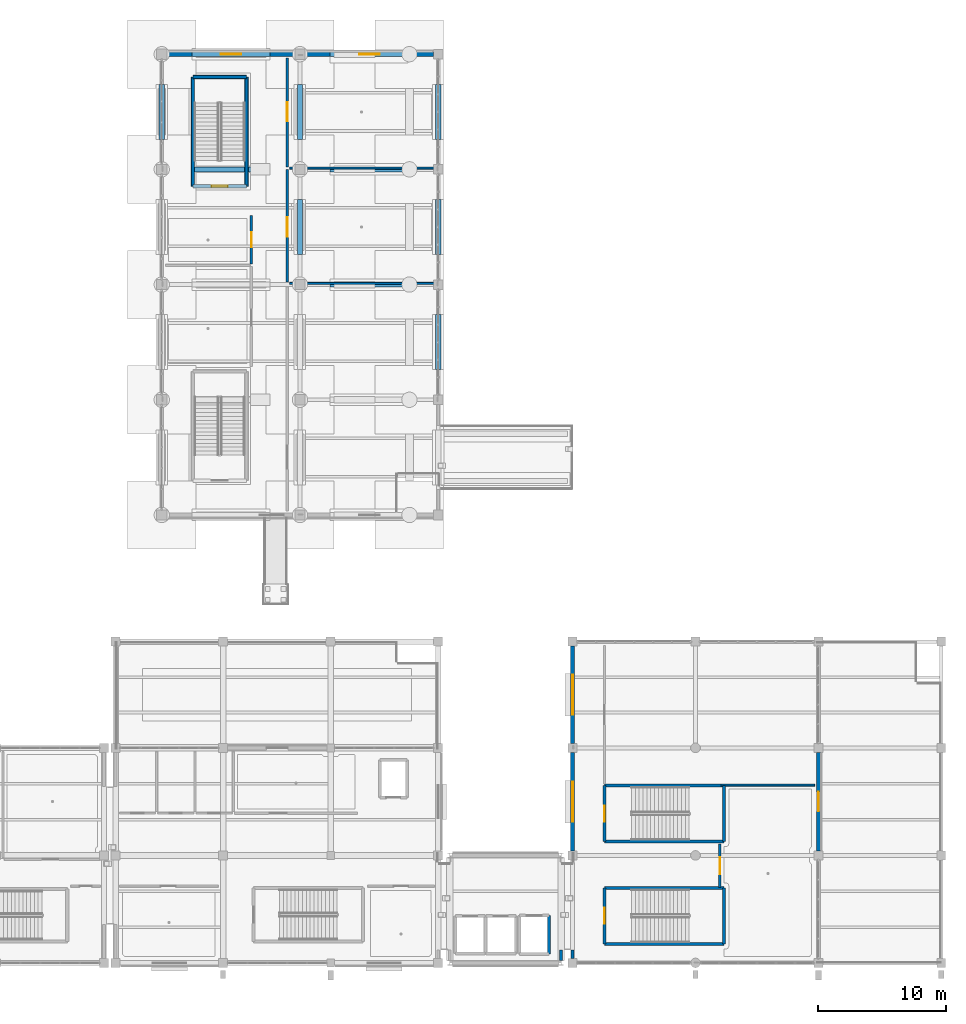
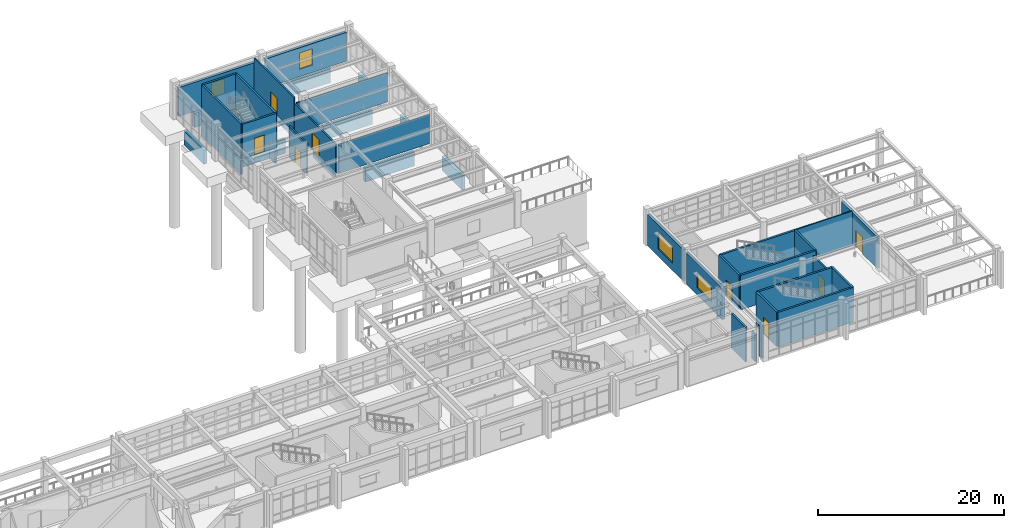
# One storey, part 78 of 98: 41 walls, 8 doors, 4 windows, 12 openings.
"""IFC4 building model written with IfcOpenShell, lengths in metres."""

import ifcopenshell
import ifcopenshell.guid

model = None  # the IFC model being written
_history = None  # IfcOwnerHistory: only IFC2X3 demands one
_inside = {}  # id of a spatial element -> (the spatial element, [elements in it])
_under = {}  # id of a project, library or spatial element -> (it, [spatial elements below it])
_declared = {}  # id of a project -> (the project, [libraries it declares])
_typed = {}  # id of a type object -> (the type object, [elements of that type])
_made_of = {}  # id of a material, layer set ... -> (it, [elements and type objects made of it])


def new_model(schema):
    """Start an empty IFC model of exactly this schema.

    Asked for "IFC4X3", IfcOpenShell would pick the latest addendum, in which some entities
    have other attributes; the version numbers below select the first issue.
    IFC2X3 requires an IfcOwnerHistory on every rooted entity: one is made here for all.
    """
    global model, _history
    if schema == "IFC4X3":
        model = ifcopenshell.file(schema_version=(4, 3, 0, 0))
    else:
        model = ifcopenshell.file(schema=schema)
    _inside.clear()
    _under.clear()
    _declared.clear()
    _typed.clear()
    _made_of.clear()
    _history = None
    if model.schema == "IFC2X3":
        org = make("IfcOrganization", Name="unknown")
        user = make(
            "IfcPersonAndOrganization",
            ThePerson=make("IfcPerson", FamilyName="unknown"),
            TheOrganization=org,
        )
        app = make(
            "IfcApplication",
            ApplicationDeveloper=org,
            Version="unknown",
            ApplicationFullName="unknown",
            ApplicationIdentifier="unknown",
        )
        _history = make(
            "IfcOwnerHistory",
            OwningUser=user,
            OwningApplication=app,
            ChangeAction="ADDED",
            CreationDate=0,
        )
    return model


def make(cls, **values):
    """One entity of the class cls with the attributes given. An attribute that is None is left unset."""
    return model.create_entity(
        cls, **{name: value for name, value in values.items() if value is not None}
    )


def rooted(cls, **values):
    """An entity with a GlobalId (a new one), such as an element, a storey or a relation."""
    return make(cls, GlobalId=ifcopenshell.guid.new(), OwnerHistory=_history, **values)


def si_unit(unit_type, name, prefix=None):
    """IfcSIUnit, for example si_unit("LENGTHUNIT", "METRE", prefix="MILLI")."""
    return make("IfcSIUnit", UnitType=unit_type, Prefix=prefix, Name=name)


def assignment(units):
    """IfcUnitAssignment: the units of a project."""
    return None if units is None else make("IfcUnitAssignment", Units=units)


def point(xyz):
    """IfcCartesianPoint."""
    return None if xyz is None else make("IfcCartesianPoint", Coordinates=xyz)


def direction(xyz):
    """IfcDirection."""
    return None if xyz is None else make("IfcDirection", DirectionRatios=xyz)


def frame(location, z_axis=None, x_axis=None):
    """IfcAxis2Placement3D, a coordinate frame: its origin and axes. An axis left out is left unset."""
    return make(
        "IfcAxis2Placement3D",
        Location=point(location),
        Axis=direction(z_axis),
        RefDirection=direction(x_axis),
    )


def frame_2d(location, x_axis=None):
    """IfcAxis2Placement2D, a coordinate frame in the plane: its origin and x axis."""
    return make(
        "IfcAxis2Placement2D", Location=point(location), RefDirection=direction(x_axis)
    )


def origin():
    """The frame at (0, 0, 0) with its axes left unset."""
    return frame((0.0, 0.0, 0.0))


def place(relative_to, where):
    """IfcLocalPlacement: puts the frame where relative to a parent placement (None: the world)."""
    return make(
        "IfcLocalPlacement", PlacementRelTo=relative_to, RelativePlacement=where
    )


def context(
    kind, dimensions, precision=None, world=None, true_north=None, identifier=None
):
    """IfcGeometricRepresentationContext, for example the 3D "Model" context."""
    return make(
        "IfcGeometricRepresentationContext",
        ContextIdentifier=identifier,
        ContextType=kind,
        CoordinateSpaceDimension=dimensions,
        Precision=precision,
        WorldCoordinateSystem=world,
        TrueNorth=true_north,
    )


def subcontext(parent, identifier, kind, view, scale=None):
    """IfcGeometricRepresentationSubContext, for example "Body" below "Model"."""
    return make(
        "IfcGeometricRepresentationSubContext",
        ContextIdentifier=identifier,
        ContextType=kind,
        ParentContext=parent,
        TargetScale=scale,
        TargetView=view,
    )


def project(units=None, contexts=None):
    """IfcProject with its units and contexts."""
    return rooted(
        "IfcProject",
        Name="project",
        RepresentationContexts=contexts,
        UnitsInContext=assignment(units),
    )


def spatial(cls, under=None, at=None, **own):
    """A site, building, storey or space (cls), placed at a placement, below another one or the project."""
    s = rooted(cls, ObjectPlacement=at, **own)
    if under is not None:
        _under.setdefault(under.id(), (under, []))[1].append(s)
    return s


def profile(cls, at=None, kind="AREA", **sizes):
    """A parametric profile (cls). Its sizes go by their IFC names, for example OverallWidth=200.0."""
    return make(cls, ProfileType=kind, Position=at, **sizes)


def rectangle(**sizes):
    """IfcRectangleProfileDef."""
    return profile("IfcRectangleProfileDef", **sizes)


def extrude(swept, where, along, depth):
    """IfcExtrudedAreaSolid: the profile swept, set in the frame where, extruded along a direction by depth."""
    return make(
        "IfcExtrudedAreaSolid",
        SweptArea=swept,
        Position=where,
        ExtrudedDirection=direction(along),
        Depth=depth,
    )


def shape(context_of_items, identifier, shape_type, items):
    """IfcShapeRepresentation: the items that make up one representation, for example the "Body"."""
    return make(
        "IfcShapeRepresentation",
        ContextOfItems=context_of_items,
        RepresentationIdentifier=identifier,
        RepresentationType=shape_type,
        Items=items,
    )


def material(Name=None, Category=None):
    """IfcMaterial."""
    return make("IfcMaterial", Name=Name, Category=Category)


def layer(
    of_material, thickness, ventilated=None, Name=None, Category=None, Priority=None
):
    """IfcMaterialLayer: one layer of a wall or slab, of a material (None: an air gap)."""
    return make(
        "IfcMaterialLayer",
        Material=of_material,
        LayerThickness=thickness,
        IsVentilated=ventilated,
        Name=Name,
        Category=Category,
        Priority=Priority,
    )


def layer_set(layers, Name=None):
    """IfcMaterialLayerSet."""
    return make("IfcMaterialLayerSet", MaterialLayers=layers, LayerSetName=Name)


def made_of(thing, what):
    """Note that an element or type object is made of a material, layer set ...; save() writes the relation."""
    if what is not None:
        _made_of.setdefault(what.id(), (what, []))[1].append(thing)
    return thing


def type_object(cls, material=None, **own):
    """A type object (cls), such as IfcWallType, which elements share."""
    return made_of(rooted(cls, **own), material)


def element(
    cls,
    number,
    at=None,
    inside=None,
    cuts=None,
    type_object=None,
    material=None,
    context=None,
    identifier="Body",
    shape_type=None,
    held_by="IfcProductDefinitionShape",
    body=None,
    shapes=None,
    **own,
):
    """One element of the class cls, such as IfcWall. Its Tag is "e" and its number.

    at: its placement. inside: the storey or other place that contains it. cuts: it is an
    opening in that element (IfcRelVoidsElement). A single representation is given by context,
    identifier, shape_type and body (its items); several are given by shapes. held_by: the class
    of the entity that holds the representations. save() writes the other relations.
    """
    e = rooted(cls, Tag="e%d" % number, ObjectPlacement=at, **own)
    if body is not None:
        shapes = [shape(context, identifier, shape_type, body)]
    if shapes is not None:
        e.Representation = make(held_by, Representations=shapes)
    if inside is not None:
        _inside.setdefault(inside.id(), (inside, []))[1].append(e)
    if cuts is not None:
        rooted(
            "IfcRelVoidsElement", RelatingBuildingElement=cuts, RelatedOpeningElement=e
        )
    if type_object is not None:
        _typed.setdefault(type_object.id(), (type_object, []))[1].append(e)
    return made_of(e, material)


def fill(opening, filler):
    """IfcRelFillsElement: the door or window that sits in an opening."""
    return rooted(
        "IfcRelFillsElement",
        RelatingOpeningElement=opening,
        RelatedBuildingElement=filler,
    )


def aggregate(whole, parts):
    """IfcRelAggregates: a whole, such as a stair, and the parts it consists of."""
    return rooted("IfcRelAggregates", RelatingObject=whole, RelatedObjects=parts)


def save(model, path):
    """Write the relations noted so far, then the file.

    IfcRelAggregates (storeys below a building ...), IfcRelContainedInSpatialStructure (elements
    in a storey), IfcRelDefinesByType, IfcRelAssociatesMaterial and IfcRelDeclares: one each for
    every whole, place, type object, material and project.
    """
    for whole, parts in _under.values():
        aggregate(whole, parts)
    for where, things in _inside.values():
        rooted(
            "IfcRelContainedInSpatialStructure",
            RelatedElements=things,
            RelatingStructure=where,
        )
    for kind, things in _typed.values():
        rooted("IfcRelDefinesByType", RelatedObjects=things, RelatingType=kind)
    for what, things in _made_of.values():
        rooted("IfcRelAssociatesMaterial", RelatedObjects=things, RelatingMaterial=what)
    for by, libraries in _declared.values():
        rooted("IfcRelDeclares", RelatingContext=by, RelatedDefinitions=libraries)
    model.write(path)


model = new_model("IFC4")

# Units and contexts
model_context = context("Model", 3, precision=1e-05, world=origin(), true_north=direction((0.0, 1.0)))
body_context = subcontext(model_context, "Body", "Model", "MODEL_VIEW")
ifc_project = project(units=[si_unit("LENGTHUNIT", "METRE"), si_unit("AREAUNIT", "SQUARE_METRE"), si_unit("VOLUMEUNIT", "CUBIC_METRE"), si_unit("PLANEANGLEUNIT", "RADIAN"), si_unit("MASSUNIT", "GRAM", prefix="KILO")], contexts=[model_context])

# Site, building, storey
site_placement = place(None, origin())
site = spatial("IfcSite", under=ifc_project, at=site_placement, CompositionType="ELEMENT")
building_placement = place(site_placement, origin())
building = spatial("IfcBuilding", under=site, at=building_placement, Name="Canglan Escarpment Cableway Terminal", CompositionType="ELEMENT")
storey_placement = place(building_placement, frame((0.0, 0.0, 9.60009765625)))
storey = spatial("IfcBuildingStorey", under=building, at=storey_placement, Name="L02", CompositionType="ELEMENT", Elevation=9.60009765625)

# Walls
ifc_material_1 = material(Name="Concrete C40", Category="concrete")
ifc_layer_1 = layer(ifc_material_1, 0.39990234375, Name="Concrete C40")
ifc_layer_set_1 = layer_set([ifc_layer_1], Name="Concrete C40")
wall_type_1 = type_object("IfcWallType", Name="WL-BENCH-SOLID-400", PredefinedType="SOLIDWALL", material=ifc_layer_set_1)
for number, where, z_axis, x_axis, name in (
    (1, (128.25, 61.0, -2.10009765625), (0.0, 0.0, 1.0), (1.0, 0.0, 0.0), "Hillside bench foundation wall BWALL-X-FB7-3-2"),
    (2, (117.449951171875, 70.0, -2.10009765625), (0.0, 0.0, 1.0), (1.0, 0.0, 0.0), "Hillside bench foundation wall BWALL-X-FB7-4-1"),
    (3, (128.25, 70.0, -2.10009765625), (0.0, 0.0, 1.0), (1.0, 0.0, 0.0), "Hillside bench foundation wall BWALL-X-FB7-4-2"),
    (4, (117.449951171875, 79.0, -2.10009765625), (0.0, 0.0, 1.0), (1.0, 0.0, 0.0), "Hillside bench foundation wall BWALL-X-FB7-5-1"),
    (5, (128.25, 79.0, -2.10009765625), (0.0, 0.0, 1.0), (1.0, 0.0, 0.0), "Hillside bench foundation wall BWALL-X-FB7-5-2"),
):
    element("IfcWall", number, at=place(storey_placement, frame(where, z_axis=z_axis, x_axis=x_axis)), inside=storey, type_object=wall_type_1, Name=name, PredefinedType="SOLIDWALL", context=body_context, shape_type="SweptSolid", body=[
        extrude(rectangle(XDim=6.10009765625, YDim=0.39990234375, at=frame_2d((3.050048828125, 0.0))), origin(), (0.0, 0.0, 1.0), 1.85009765625),
    ])
for number, where, z_axis, x_axis, name in (
    (6, (115.10009765625, 72.35009765625, -2.10009765625), (0.0, 0.0, 1.0), (0.0, 1.0, 0.0), "Hillside bench transverse foundation wall BWALL-Y-FB7-1-4"),
    (7, (125.89990234375, 63.35009765625, -2.10009765625), (0.0, 0.0, 1.0), (0.0, 1.0, 0.0), "Hillside bench transverse foundation wall BWALL-Y-FB7-2-3"),
    (8, (125.89990234375, 72.35009765625, -2.10009765625), (0.0, 0.0, 1.0), (0.0, 1.0, 0.0), "Hillside bench transverse foundation wall BWALL-Y-FB7-2-4"),
    (9, (136.699951171875, 54.35009765625, -2.10009765625), (0.0, 0.0, 1.0), (0.0, 1.0, 0.0), "Hillside bench transverse foundation wall BWALL-Y-FB7-3-2"),
    (10, (136.699951171875, 63.35009765625, -2.10009765625), (0.0, 0.0, 1.0), (0.0, 1.0, 0.0), "Hillside bench transverse foundation wall BWALL-Y-FB7-3-3"),
    (11, (136.699951171875, 72.35009765625, -2.10009765625), (0.0, 0.0, 1.0), (0.0, 1.0, 0.0), "Hillside bench transverse foundation wall BWALL-Y-FB7-3-4"),
):
    element("IfcWall", number, at=place(storey_placement, frame(where, z_axis=z_axis, x_axis=x_axis)), inside=storey, type_object=wall_type_1, Name=name, PredefinedType="SOLIDWALL", context=body_context, shape_type="SweptSolid", body=[
        extrude(rectangle(XDim=4.2998046875, YDim=0.39990234375, at=frame_2d((2.14990234375, 0.0))), origin(), (0.0, 0.0, 1.0), 1.85009765625),
    ])
wall_1_placement = place(storey_placement, frame((121.719970703125, 68.679931640625, -2.10009765625), z_axis=(0.0, 0.0, 1.0), x_axis=(0.0, 1.0, 0.0)))
element("IfcWall", 12, at=wall_1_placement, inside=storey, type_object=wall_type_1, Name="Stair core foundation wall ST-11", PredefinedType="SOLIDWALL", context=body_context, shape_type="SweptSolid", body=[
    extrude(rectangle(XDim=8.5400390625, YDim=0.280029296875, at=frame_2d((4.27001953125, 0.0))), origin(), (0.0, 0.0, 1.0), 1.800048828125),
])
wall_2_placement = place(storey_placement, frame((121.719970703125, 77.219970703125, -2.10009765625), z_axis=(0.0, 0.0, 1.0), x_axis=(-1.0, 0.0, 0.0)))
element("IfcWall", 13, at=wall_2_placement, inside=storey, type_object=wall_type_1, Name="Stair core foundation wall ST-11", PredefinedType="SOLIDWALL", context=body_context, shape_type="SweptSolid", body=[
    extrude(rectangle(XDim=4.18994140625, YDim=0.280029296875, at=frame_2d((2.094970703125, 0.0))), origin(), (0.0, 0.0, 1.0), 1.800048828125),
])
wall_3_placement = place(storey_placement, frame((117.530029296875, 77.219970703125, -2.10009765625), z_axis=(0.0, 0.0, 1.0), x_axis=(0.0, -1.0, 0.0)))
element("IfcWall", 14, at=wall_3_placement, inside=storey, type_object=wall_type_1, Name="Stair core foundation wall ST-11", PredefinedType="SOLIDWALL", context=body_context, shape_type="SweptSolid", body=[
    extrude(rectangle(XDim=8.5400390625, YDim=0.280029296875, at=frame_2d((4.27001953125, 0.0))), origin(), (0.0, 0.0, 1.0), 1.800048828125),
])
ifc_layer_2 = layer(ifc_material_1, 0.239990234375, Name="Concrete C40")
ifc_layer_set_2 = layer_set([ifc_layer_2], Name="Concrete C40")
wall_type_2 = type_object("IfcWallType", Name="WL-CORE-SHEAR-240", PredefinedType="SHEAR", material=ifc_layer_set_2)
wall_4_placement = place(storey_placement, frame((149.679931640625, 9.47998046875, 0.0), z_axis=(0.0, 0.0, 1.0), x_axis=(1.0, 0.0, 0.0)))
element("IfcWall", 15, at=wall_4_placement, inside=storey, type_object=wall_type_2, Name="Protected stair core wall ST-08 (L02)", PredefinedType="SHEAR", context=body_context, shape_type="SweptSolid", body=[
    extrude(rectangle(XDim=9.340087890625, YDim=0.239990234375, at=frame_2d((4.669921875, 0.0))), origin(), (0.0, 0.0, 1.0), 4.52001953125),
])
wall_5_placement = place(storey_placement, frame((159.02001953125, 9.47998046875, 0.0), z_axis=(0.0, 0.0, 1.0), x_axis=(0.0, 1.0, 0.0)))
element("IfcWall", 16, at=wall_5_placement, inside=storey, type_object=wall_type_2, Name="Protected stair core wall ST-08 (L02)", PredefinedType="SHEAR", context=body_context, shape_type="SweptSolid", body=[
    extrude(rectangle(XDim=4.39013671875, YDim=0.239990234375, at=frame_2d((2.195068359375, 0.0))), origin(), (0.0, 0.0, 1.0), 4.52001953125),
])
wall_6_placement = place(storey_placement, frame((159.02001953125, 13.8701171875, 0.0), z_axis=(0.0, 0.0, 1.0), x_axis=(-1.0, 0.0, 0.0)))
element("IfcWall", 17, at=wall_6_placement, inside=storey, type_object=wall_type_2, Name="Protected stair core wall ST-08 (L02)", PredefinedType="SHEAR", context=body_context, shape_type="SweptSolid", body=[
    extrude(rectangle(XDim=9.340087890625, YDim=0.239990234375, at=frame_2d((4.669921875, 0.0))), origin(), (0.0, 0.0, 1.0), 4.52001953125),
])

# Wall, opening, door
wall_7_placement = place(storey_placement, frame((149.679931640625, 13.8701171875, 0.0), z_axis=(0.0, 0.0, 1.0), x_axis=(0.0, -1.0, 0.0)))
wall_7 = element("IfcWall", 18, at=wall_7_placement, inside=storey, type_object=wall_type_2, Name="Protected stair core wall ST-08 (L02)", PredefinedType="SHEAR", context=body_context, shape_type="SweptSolid", body=[
    extrude(rectangle(XDim=4.39013671875, YDim=0.239990234375, at=frame_2d((2.195068359375, 0.0))), origin(), (0.0, 0.0, 1.0), 4.52001953125),
])
opening_1_placement = place(wall_7_placement, frame((1.570068359375, 0.0, 0.0)))
opening_1 = element("IfcOpeningElement", 19, at=opening_1_placement, cuts=wall_7, Name="Opening SD-D1", PredefinedType="OPENING", context=body_context, shape_type="SweptSolid", body=[
    extrude(rectangle(XDim=1.25, YDim=2.199951171875, at=frame_2d((0.625, 1.10009765625))), frame((0.0, 0.1298828125, 0.0), z_axis=(0.0, -1.0, 0.0), x_axis=(1.0, 0.0, 0.0)), (0.0, 0.0, 1.0), 0.260009765625),
])
ifc_material_2 = material(Name="Steel fire-resisting stair door", Category="steel")
door_type_1 = type_object("IfcDoorType", Name="DR-STAIR-EI90-1250", OperationType="NOTDEFINED", PredefinedType="DOOR", material=ifc_material_2)
door_1_placement = place(opening_1_placement, origin())
door_1 = element("IfcDoor", 20, at=door_1_placement, inside=storey, type_object=door_type_1, Name="Protected exit stair fire door ST-08 (L02)", OperationType="SINGLE_SWING_LEFT", OverallHeight=2.199951171875, OverallWidth=1.25, PredefinedType="DOOR", context=body_context, shape_type="SweptSolid", body=[
    extrude(rectangle(XDim=1.25, YDim=2.199951171875, at=frame_2d((0.625, 1.10009765625))), frame((0.0, 0.02490234375, 0.0), z_axis=(0.0, -1.0, 0.0), x_axis=(1.0, 0.0, 0.0)), (0.0, 0.0, 1.0), 0.050048828125),
])
fill(opening_1, door_1)

# Walls
wall_8_placement = place(storey_placement, frame((149.679931640625, 17.47998046875, 0.0), z_axis=(0.0, 0.0, 1.0), x_axis=(1.0, 0.0, 0.0)))
element("IfcWall", 21, at=wall_8_placement, inside=storey, type_object=wall_type_2, Name="Protected stair core wall ST-09 (L02)", PredefinedType="SHEAR", context=body_context, shape_type="SweptSolid", body=[
    extrude(rectangle(XDim=9.340087890625, YDim=0.239990234375, at=frame_2d((4.669921875, 0.0))), origin(), (0.0, 0.0, 1.0), 4.52001953125),
])
wall_9_placement = place(storey_placement, frame((159.02001953125, 17.47998046875, 0.0), z_axis=(0.0, 0.0, 1.0), x_axis=(0.0, 1.0, 0.0)))
element("IfcWall", 22, at=wall_9_placement, inside=storey, type_object=wall_type_2, Name="Protected stair core wall ST-09 (L02)", PredefinedType="SHEAR", context=body_context, shape_type="SweptSolid", body=[
    extrude(rectangle(XDim=4.39013671875, YDim=0.239990234375, at=frame_2d((2.195068359375, 0.0))), origin(), (0.0, 0.0, 1.0), 4.52001953125),
])
wall_10_placement = place(storey_placement, frame((159.02001953125, 21.8701171875, 0.0), z_axis=(0.0, 0.0, 1.0), x_axis=(-1.0, 0.0, 0.0)))
element("IfcWall", 23, at=wall_10_placement, inside=storey, type_object=wall_type_2, Name="Protected stair core wall ST-09 (L02)", PredefinedType="SHEAR", context=body_context, shape_type="SweptSolid", body=[
    extrude(rectangle(XDim=9.340087890625, YDim=0.239990234375, at=frame_2d((4.669921875, 0.0))), origin(), (0.0, 0.0, 1.0), 4.52001953125),
])

# Wall, opening, door
wall_11_placement = place(storey_placement, frame((149.679931640625, 21.8701171875, 0.0), z_axis=(0.0, 0.0, 1.0), x_axis=(0.0, -1.0, 0.0)))
wall_11 = element("IfcWall", 24, at=wall_11_placement, inside=storey, type_object=wall_type_2, Name="Protected stair core wall ST-09 (L02)", PredefinedType="SHEAR", context=body_context, shape_type="SweptSolid", body=[
    extrude(rectangle(XDim=4.39013671875, YDim=0.239990234375, at=frame_2d((2.195068359375, 0.0))), origin(), (0.0, 0.0, 1.0), 4.52001953125),
])
opening_2_placement = place(wall_11_placement, frame((1.570068359375, 0.0, 0.0)))
opening_2 = element("IfcOpeningElement", 25, at=opening_2_placement, cuts=wall_11, Name="Opening SD-D1", PredefinedType="OPENING", context=body_context, shape_type="SweptSolid", body=[
    extrude(rectangle(XDim=1.25, YDim=2.199951171875, at=frame_2d((0.625, 1.10009765625))), frame((0.0, 0.1298828125, 0.0), z_axis=(0.0, -1.0, 0.0), x_axis=(1.0, 0.0, 0.0)), (0.0, 0.0, 1.0), 0.260009765625),
])
door_2_placement = place(opening_2_placement, origin())
door_2 = element("IfcDoor", 26, at=door_2_placement, inside=storey, type_object=door_type_1, Name="Protected exit stair fire door ST-09 (L02)", OperationType="SINGLE_SWING_RIGHT", OverallHeight=2.199951171875, OverallWidth=1.25, PredefinedType="DOOR", context=body_context, shape_type="SweptSolid", body=[
    extrude(rectangle(XDim=1.25, YDim=2.199951171875, at=frame_2d((0.625, 1.10009765625))), frame((0.0, 0.02490234375, 0.0), z_axis=(0.0, -1.0, 0.0), x_axis=(1.0, 0.0, 0.0)), (0.0, 0.0, 1.0), 0.050048828125),
])
fill(opening_2, door_2)

# Walls
wall_12_placement = place(storey_placement, frame((121.719970703125, 68.679931640625, 0.0), z_axis=(0.0, 0.0, 1.0), x_axis=(0.0, 1.0, 0.0)))
element("IfcWall", 27, at=wall_12_placement, inside=storey, type_object=wall_type_2, Name="Protected stair core wall ST-11 (L02)", PredefinedType="SHEAR", context=body_context, shape_type="SweptSolid", body=[
    extrude(rectangle(XDim=8.5400390625, YDim=0.239990234375, at=frame_2d((4.27001953125, 0.0))), origin(), (0.0, 0.0, 1.0), 4.52001953125),
])
wall_13_placement = place(storey_placement, frame((121.719970703125, 77.219970703125, 0.0), z_axis=(0.0, 0.0, 1.0), x_axis=(-1.0, 0.0, 0.0)))
element("IfcWall", 28, at=wall_13_placement, inside=storey, type_object=wall_type_2, Name="Protected stair core wall ST-11 (L02)", PredefinedType="SHEAR", context=body_context, shape_type="SweptSolid", body=[
    extrude(rectangle(XDim=4.18994140625, YDim=0.239990234375, at=frame_2d((2.094970703125, 0.0))), origin(), (0.0, 0.0, 1.0), 4.52001953125),
])
wall_14_placement = place(storey_placement, frame((117.530029296875, 77.219970703125, 0.0), z_axis=(0.0, 0.0, 1.0), x_axis=(0.0, -1.0, 0.0)))
element("IfcWall", 29, at=wall_14_placement, inside=storey, type_object=wall_type_2, Name="Protected stair core wall ST-11 (L02)", PredefinedType="SHEAR", context=body_context, shape_type="SweptSolid", body=[
    extrude(rectangle(XDim=8.5400390625, YDim=0.239990234375, at=frame_2d((4.27001953125, 0.0))), origin(), (0.0, 0.0, 1.0), 4.52001953125),
])

# Wall, opening, door
wall_15_placement = place(storey_placement, frame((117.530029296875, 68.679931640625, 0.0), z_axis=(0.0, 0.0, 1.0), x_axis=(1.0, 0.0, 0.0)))
wall_15 = element("IfcWall", 30, at=wall_15_placement, inside=storey, type_object=wall_type_2, Name="Protected stair core wall ST-11 (L02)", PredefinedType="SHEAR", context=body_context, shape_type="SweptSolid", body=[
    extrude(rectangle(XDim=4.18994140625, YDim=0.239990234375, at=frame_2d((2.094970703125, 0.0))), origin(), (0.0, 0.0, 1.0), 4.52001953125),
])
opening_3_placement = place(wall_15_placement, frame((1.469970703125, 0.0, 0.0)))
opening_3 = element("IfcOpeningElement", 31, at=opening_3_placement, cuts=wall_15, Name="Opening SD-D1", PredefinedType="OPENING", context=body_context, shape_type="SweptSolid", body=[
    extrude(rectangle(XDim=1.25, YDim=2.199951171875, at=frame_2d((0.625, 1.10009765625))), frame((0.0, 0.1298828125, 0.0), z_axis=(0.0, -1.0, 0.0), x_axis=(1.0, 0.0, 0.0)), (0.0, 0.0, 1.0), 0.260009765625),
])
door_3_placement = place(opening_3_placement, origin())
door_3 = element("IfcDoor", 32, at=door_3_placement, inside=storey, type_object=door_type_1, Name="Protected exit stair fire door ST-11 (L02)", OperationType="SINGLE_SWING_RIGHT", OverallHeight=2.199951171875, OverallWidth=1.25, PredefinedType="DOOR", context=body_context, shape_type="SweptSolid", body=[
    extrude(rectangle(XDim=1.25, YDim=2.199951171875, at=frame_2d((0.625, 1.10009765625))), frame((0.0, 0.02490234375, 0.0), z_axis=(0.0, -1.0, 0.0), x_axis=(1.0, 0.0, 0.0)), (0.0, 0.0, 1.0), 0.050048828125),
])
fill(opening_3, door_3)

ifc_material_3 = material(Name="Dressed ashlar limestone on Concrete C40", Category="masonry")
ifc_layer_3 = layer(ifc_material_3, 0.320068359375, Name="Dressed ashlar limestone on Concrete C40")
ifc_layer_set_3 = layer_set([ifc_layer_3], Name="Dressed ashlar limestone on Concrete C40")
wall_type_3 = type_object("IfcWallType", Name="WL-EXT-ASHLAR-320", PredefinedType="STANDARD", material=ifc_layer_set_3)
wall_16_placement = place(storey_placement, frame((166.39990234375, 16.75, 0.0), z_axis=(0.0, 0.0, 1.0), x_axis=(0.0, 1.0, 0.0)))
wall_16 = element("IfcWall", 33, at=wall_16_placement, inside=storey, type_object=wall_type_3, Name="Classical stone-faced exterior wall EW-FB5-L02-E-02", PredefinedType="STANDARD", context=body_context, shape_type="SweptSolid", body=[
    extrude(rectangle(XDim=7.699951171875, YDim=0.320068359375, at=frame_2d((3.85009765625, 0.0))), origin(), (0.0, 0.0, 1.0), 4.10498046875),
])
opening_4_placement = place(wall_16_placement, frame((3.090087890625, 0.0, 0.0)))
opening_4 = element("IfcOpeningElement", 34, at=opening_4_placement, cuts=wall_16, Name="Opening ED-08", PredefinedType="OPENING", context=body_context, shape_type="SweptSolid", body=[
    extrude(rectangle(XDim=1.52001953125, YDim=2.219970703125, at=frame_2d((0.760009765625, 1.10986328125))), frame((0.0, 0.169921875, 0.0), z_axis=(0.0, -1.0, 0.0), x_axis=(1.0, 0.0, 0.0)), (0.0, 0.0, 1.0), 0.340087890625),
])
ifc_material_4 = material(Name="Anodized bronze aluminium and tempered safety glass", Category="aluminium")
door_type_2 = type_object("IfcDoorType", Name="DR-EXT-BALC-1520", OperationType="NOTDEFINED", PredefinedType="DOOR", material=ifc_material_4)
door_4_placement = place(opening_4_placement, origin())
door_4 = element("IfcDoor", 35, at=door_4_placement, inside=storey, type_object=door_type_2, Name="Terrace access glazed door ED-08", OperationType="DOUBLE_DOOR_SINGLE_SWING", OverallHeight=2.219970703125, OverallWidth=1.52001953125, PredefinedType="DOOR", context=body_context, shape_type="SweptSolid", body=[
    extrude(rectangle(XDim=1.52001953125, YDim=2.219970703125, at=frame_2d((0.760009765625, 1.10986328125))), frame((0.0, 0.02490234375, 0.0), z_axis=(0.0, -1.0, 0.0), x_axis=(1.0, 0.0, 0.0)), (0.0, 0.0, 1.0), 0.050048828125),
])
fill(opening_4, door_4)

# Wall, opening, window
wall_17_placement = place(storey_placement, frame((147.199951171875, 24.449951171875, 0.0), z_axis=(0.0, 0.0, 1.0), x_axis=(0.0, -1.0, 0.0)))
wall_17 = element("IfcWall", 36, at=wall_17_placement, inside=storey, type_object=wall_type_3, Name="Classical stone-faced exterior wall EW-FB5-L02-W-02", PredefinedType="STANDARD", context=body_context, shape_type="SweptSolid", body=[
    extrude(rectangle(XDim=7.699951171875, YDim=0.320068359375, at=frame_2d((3.85009765625, 0.0))), origin(), (0.0, 0.0, 1.0), 4.114990234375),
])
opening_5_placement = place(wall_17_placement, frame((2.300048828125, 0.0, 0.949951171875)))
opening_5 = element("IfcOpeningElement", 37, at=opening_5_placement, cuts=wall_17, Name="Opening W-35", PredefinedType="OPENING", context=body_context, shape_type="SweptSolid", body=[
    extrude(rectangle(XDim=3.10009765625, YDim=1.949951171875, at=frame_2d((1.550048828125, 0.97509765625))), frame((0.0, 0.169921875, 0.0), z_axis=(0.0, -1.0, 0.0), x_axis=(1.0, 0.0, 0.0)), (0.0, 0.0, 1.0), 0.340087890625),
])
ifc_material_5 = material(Name="Anodized bronze aluminium and Low-E double glazing", Category="aluminium")
window_type_1 = type_object("IfcWindowType", Name="WIN-EXT-35", PartitioningType="DOUBLE_PANEL_VERTICAL", PredefinedType="WINDOW", material=ifc_material_5)
window_1_placement = place(opening_5_placement, origin())
window_1 = element("IfcWindow", 38, at=window_1_placement, inside=storey, type_object=window_type_1, Name="Classical module window W-35", OverallHeight=1.949951171875, OverallWidth=3.10009765625, PartitioningType="SINGLE_PANEL", PredefinedType="WINDOW", context=body_context, shape_type="SweptSolid", body=[
    extrude(rectangle(XDim=3.10009765625, YDim=1.949951171875, at=frame_2d((1.550048828125, 0.97509765625))), frame((0.0, 0.030029296875, 0.0), z_axis=(0.0, -1.0, 0.0), x_axis=(1.0, 0.0, 0.0)), (0.0, 0.0, 1.0), 0.06005859375),
])
fill(opening_5, window_1)

wall_18_placement = place(storey_placement, frame((147.199951171875, 32.75, 0.0), z_axis=(0.0, 0.0, 1.0), x_axis=(0.0, -1.0, 0.0)))
wall_18 = element("IfcWall", 39, at=wall_18_placement, inside=storey, type_object=wall_type_3, Name="Classical stone-faced exterior wall EW-FB5-L02-W-03", PredefinedType="STANDARD", context=body_context, shape_type="SweptSolid", body=[
    extrude(rectangle(XDim=7.60009765625, YDim=0.320068359375, at=frame_2d((3.800048828125, 0.0))), origin(), (0.0, 0.0, 1.0), 4.10498046875),
])
opening_6_placement = place(wall_18_placement, frame((2.25, 0.0, 0.949951171875)))
opening_6 = element("IfcOpeningElement", 40, at=opening_6_placement, cuts=wall_18, Name="Opening W-36", PredefinedType="OPENING", context=body_context, shape_type="SweptSolid", body=[
    extrude(rectangle(XDim=3.10009765625, YDim=2.14990234375, at=frame_2d((1.550048828125, 1.074951171875))), frame((0.0, 0.169921875, 0.0), z_axis=(0.0, -1.0, 0.0), x_axis=(1.0, 0.0, 0.0)), (0.0, 0.0, 1.0), 0.340087890625),
])
window_type_2 = type_object("IfcWindowType", Name="WIN-EXT-36", PartitioningType="DOUBLE_PANEL_VERTICAL", PredefinedType="WINDOW", material=ifc_material_5)
window_2_placement = place(opening_6_placement, origin())
window_2 = element("IfcWindow", 41, at=window_2_placement, inside=storey, type_object=window_type_2, Name="Classical module window W-36", OverallHeight=2.14990234375, OverallWidth=3.10009765625, PartitioningType="SINGLE_PANEL", PredefinedType="WINDOW", context=body_context, shape_type="SweptSolid", body=[
    extrude(rectangle(XDim=3.10009765625, YDim=2.14990234375, at=frame_2d((1.550048828125, 1.074951171875))), frame((0.0, 0.030029296875, 0.0), z_axis=(0.0, -1.0, 0.0), x_axis=(1.0, 0.0, 0.0)), (0.0, 0.0, 1.0), 0.06005859375),
])
fill(opening_6, window_2)

ifc_material_6 = material(Name="Bush-hammered granite ashlar on Concrete C40", Category="masonry")
ifc_layer_4 = layer(ifc_material_6, 0.340087890625, Name="Bush-hammered granite ashlar on Concrete C40")
ifc_layer_set_4 = layer_set([ifc_layer_4], Name="Bush-hammered granite ashlar on Concrete C40")
wall_type_4 = type_object("IfcWallType", Name="WL-EXT-GRAN-340", PredefinedType="STANDARD", material=ifc_layer_set_4)
wall_19_placement = place(storey_placement, frame((125.5, 79.0, 0.0), z_axis=(0.0, 0.0, 1.0), x_axis=(-1.0, 0.0, 0.0)))
wall_19 = element("IfcWall", 42, at=wall_19_placement, inside=storey, type_object=wall_type_4, Name="Classical stone-faced exterior wall EW-FB7-L02-N-01", PredefinedType="STANDARD", context=body_context, shape_type="SweptSolid", body=[
    extrude(rectangle(XDim=10.0, YDim=0.340087890625, at=frame_2d((5.0, 0.0))), origin(), (0.0, 0.0, 1.0), 3.804931640625),
])
opening_7_placement = place(wall_19_placement, frame((4.199951171875, 0.0, 0.949951171875)))
opening_7 = element("IfcOpeningElement", 43, at=opening_7_placement, cuts=wall_19, Name="Opening W-11", PredefinedType="OPENING", context=body_context, shape_type="SweptSolid", body=[
    extrude(rectangle(XDim=1.60009765625, YDim=1.949951171875, at=frame_2d((0.800048828125, 0.97509765625))), frame((0.0, 0.18017578125, 0.0), z_axis=(0.0, -1.0, 0.0), x_axis=(1.0, 0.0, 0.0)), (0.0, 0.0, 1.0), 0.360107421875),
])
window_type_3 = type_object("IfcWindowType", Name="WIN-EXT-11", PartitioningType="SINGLE_PANEL", PredefinedType="WINDOW", material=ifc_material_5)
window_3_placement = place(opening_7_placement, origin())
window_3 = element("IfcWindow", 44, at=window_3_placement, inside=storey, type_object=window_type_3, Name="Classical module window W-11", OverallHeight=1.949951171875, OverallWidth=1.60009765625, PartitioningType="SINGLE_PANEL", PredefinedType="WINDOW", context=body_context, shape_type="SweptSolid", body=[
    extrude(rectangle(XDim=1.60009765625, YDim=1.949951171875, at=frame_2d((0.800048828125, 0.97509765625))), frame((0.0, 0.030029296875, 0.0), z_axis=(0.0, -1.0, 0.0), x_axis=(1.0, 0.0, 0.0)), (0.0, 0.0, 1.0), 0.06005859375),
])
fill(opening_7, window_3)

wall_20_placement = place(storey_placement, frame((136.324951171875, 79.0, 0.0), z_axis=(0.0, 0.0, 1.0), x_axis=(-1.0, 0.0, 0.0)))
wall_20 = element("IfcWall", 45, at=wall_20_placement, inside=storey, type_object=wall_type_4, Name="Classical stone-faced exterior wall EW-FB7-L02-N-02", PredefinedType="STANDARD", context=body_context, shape_type="SweptSolid", body=[
    extrude(rectangle(XDim=10.02490234375, YDim=0.340087890625, at=frame_2d((5.012451171875, 0.0))), origin(), (0.0, 0.0, 1.0), 3.804931640625),
])
opening_8_placement = place(wall_20_placement, frame((4.21240234375, 0.0, 0.949951171875)))
opening_8 = element("IfcOpeningElement", 46, at=opening_8_placement, cuts=wall_20, Name="Opening W-12", PredefinedType="OPENING", context=body_context, shape_type="SweptSolid", body=[
    extrude(rectangle(XDim=1.60009765625, YDim=2.14990234375, at=frame_2d((0.800048828125, 1.074951171875))), frame((0.0, 0.18017578125, 0.0), z_axis=(0.0, -1.0, 0.0), x_axis=(1.0, 0.0, 0.0)), (0.0, 0.0, 1.0), 0.360107421875),
])
window_type_4 = type_object("IfcWindowType", Name="WIN-EXT-12", PartitioningType="SINGLE_PANEL", PredefinedType="WINDOW", material=ifc_material_5)
window_4_placement = place(opening_8_placement, origin())
window_4 = element("IfcWindow", 47, at=window_4_placement, inside=storey, type_object=window_type_4, Name="Classical module window W-12", OverallHeight=2.14990234375, OverallWidth=1.60009765625, PartitioningType="SINGLE_PANEL", PredefinedType="WINDOW", context=body_context, shape_type="SweptSolid", body=[
    extrude(rectangle(XDim=1.60009765625, YDim=2.14990234375, at=frame_2d((0.800048828125, 1.074951171875))), frame((0.0, 0.030029296875, 0.0), z_axis=(0.0, -1.0, 0.0), x_axis=(1.0, 0.0, 0.0)), (0.0, 0.0, 1.0), 0.06005859375),
])
fill(opening_8, window_4)

# Walls
ifc_material_7 = material(Name="Insulated stone-faced spandrel wall", Category="masonry")
ifc_layer_5 = layer(ifc_material_7, 0.22998046875, Name="Insulated stone-faced spandrel wall")
ifc_layer_set_5 = layer_set([ifc_layer_5], Name="Insulated stone-faced spandrel wall")
wall_type_5 = type_object("IfcWallType", Name="WL-EXT-LINK-230", PredefinedType="STANDARD", material=ifc_layer_set_5)
wall_21_placement = place(storey_placement, frame((146.300048828125, 8.175048828125, 0.0), z_axis=(0.0, 0.0, 1.0), x_axis=(0.0, 1.0, 0.0)))
element("IfcWall", 48, at=wall_21_placement, inside=storey, type_object=wall_type_5, Name="Classical stone-faced exterior wall EW-FB5A-L02-E-01-FL1", PredefinedType="STANDARD", context=body_context, shape_type="SweptSolid", body=[
    extrude(rectangle(XDim=0.824951171875, YDim=0.22998046875, at=frame_2d((0.41259765625, 0.0))), origin(), (0.0, 0.0, 1.0), 3.554931640625),
])
wall_22_placement = place(storey_placement, frame((147.199951171875, 8.35009765625, 0.0), z_axis=(0.0, 0.0, 1.0), x_axis=(0.0, 1.0, 0.0)))
element("IfcWall", 49, at=wall_22_placement, inside=storey, type_object=wall_type_5, Name="Classical stone-faced exterior wall EW-FB5-L02-W-01-FL1", PredefinedType="STANDARD", context=body_context, shape_type="SweptSolid", body=[
    extrude(rectangle(XDim=0.64990234375, YDim=0.22998046875, at=frame_2d((0.324951171875, 0.0))), origin(), (0.0, 0.0, 1.0), 4.114990234375),
])

# Wall, opening, door
ifc_material_8 = material(Name="Autoclaved aerated concrete blockwork", Category="masonry")
ifc_layer_6 = layer(ifc_material_8, 0.179931640625, Name="Autoclaved aerated concrete blockwork")
ifc_layer_set_6 = layer_set([ifc_layer_6], Name="Autoclaved aerated concrete blockwork")
wall_type_6 = type_object("IfcWallType", Name="WL-INT-FIRE-180-EI60", PredefinedType="PARTITIONING", material=ifc_layer_set_6)
wall_23_placement = place(storey_placement, frame((158.699951171875, 13.89990234375, 0.0), z_axis=(0.0, 0.0, 1.0), x_axis=(0.0, 1.0, 0.0)))
wall_23 = element("IfcWall", 50, at=wall_23_placement, inside=storey, type_object=wall_type_6, Name="Interior partition wall IW-L02-15-MAIN", PredefinedType="PARTITIONING", context=body_context, shape_type="SweptSolid", body=[
    extrude(rectangle(XDim=3.400146484375, YDim=0.179931640625, at=frame_2d((1.7001953125, 0.0))), origin(), (0.0, 0.0, 1.0), 4.016845703125),
])
opening_9_placement = place(wall_23_placement, frame((1.02490234375, 0.0, 0.0)))
opening_9 = element("IfcOpeningElement", 51, at=opening_9_placement, cuts=wall_23, Name="Opening ID-15", PredefinedType="OPENING", context=body_context, shape_type="SweptSolid", body=[
    extrude(rectangle(XDim=1.35009765625, YDim=2.199951171875, at=frame_2d((0.675048828125, 1.10009765625))), frame((0.0, 0.10009765625, 0.0), z_axis=(0.0, -1.0, 0.0), x_axis=(1.0, 0.0, 0.0)), (0.0, 0.0, 1.0), 0.199951171875),
])
ifc_material_9 = material(Name="Stained oak and safety glass door", Category="glass")
door_type_3 = type_object("IfcDoorType", Name="DR-INT-ID-15", OperationType="NOTDEFINED", PredefinedType="DOOR", material=ifc_material_9)
door_5_placement = place(opening_9_placement, origin())
door_5 = element("IfcDoor", 52, at=door_5_placement, inside=storey, type_object=door_type_3, Name="Artisan Pastry Kitchen door ID-15", OperationType="SINGLE_SWING_RIGHT", OverallHeight=2.199951171875, OverallWidth=1.35009765625, PredefinedType="DOOR", context=body_context, shape_type="SweptSolid", body=[
    extrude(rectangle(XDim=1.35009765625, YDim=2.199951171875, at=frame_2d((0.675048828125, 1.10009765625))), frame((0.0, 0.02490234375, 0.0), z_axis=(0.0, -1.0, 0.0), x_axis=(1.0, 0.0, 0.0)), (0.0, 0.0, 1.0), 0.050048828125),
])
fill(opening_9, door_5)

wall_24_placement = place(storey_placement, frame((124.89990234375, 61.199951171875, 0.0), z_axis=(0.0, 0.0, 1.0), x_axis=(0.0, 1.0, 0.0)))
wall_24 = element("IfcWall", 53, at=wall_24_placement, inside=storey, type_object=wall_type_6, Name="Interior partition wall IW-L02-17-MAIN", PredefinedType="PARTITIONING", context=body_context, shape_type="SweptSolid", body=[
    extrude(rectangle(XDim=8.800048828125, YDim=0.179931640625, at=frame_2d((4.39990234375, 0.0))), origin(), (0.0, 0.0, 1.0), 3.804931640625),
])
opening_10_placement = place(wall_24_placement, frame((3.550048828125, 0.0, 0.0)))
opening_10 = element("IfcOpeningElement", 54, at=opening_10_placement, cuts=wall_24, Name="Opening ID-22", PredefinedType="OPENING", context=body_context, shape_type="SweptSolid", body=[
    extrude(rectangle(XDim=1.5, YDim=2.260009765625, at=frame_2d((0.75, 1.1298828125))), frame((0.0, 0.10009765625, 0.0), z_axis=(0.0, -1.0, 0.0), x_axis=(1.0, 0.0, 0.0)), (0.0, 0.0, 1.0), 0.199951171875),
])
door_type_4 = type_object("IfcDoorType", Name="DR-INT-ID-22", OperationType="NOTDEFINED", PredefinedType="DOOR", material=ifc_material_9)
door_6_placement = place(opening_10_placement, origin())
door_6 = element("IfcDoor", 55, at=door_6_placement, inside=storey, type_object=door_type_4, Name="Grip NDT Inspection Bay door ID-22", OperationType="DOUBLE_DOOR_SINGLE_SWING", OverallHeight=2.260009765625, OverallWidth=1.5, PredefinedType="DOOR", context=body_context, shape_type="SweptSolid", body=[
    extrude(rectangle(XDim=1.5, YDim=2.260009765625, at=frame_2d((0.75, 1.1298828125))), frame((0.0, 0.02490234375, 0.0), z_axis=(0.0, -1.0, 0.0), x_axis=(1.0, 0.0, 0.0)), (0.0, 0.0, 1.0), 0.050048828125),
])
fill(opening_10, door_6)

wall_25_placement = place(storey_placement, frame((124.89990234375, 70.199951171875, 0.0), z_axis=(0.0, 0.0, 1.0), x_axis=(0.0, 1.0, 0.0)))
wall_25 = element("IfcWall", 56, at=wall_25_placement, inside=storey, type_object=wall_type_6, Name="Interior partition wall IW-L02-18-MAIN", PredefinedType="PARTITIONING", context=body_context, shape_type="SweptSolid", body=[
    extrude(rectangle(XDim=8.5, YDim=0.179931640625, at=frame_2d((4.25, 0.0))), origin(), (0.0, 0.0, 1.0), 4.5048828125),
])
opening_11_placement = place(wall_25_placement, frame((3.574951171875, 0.0, 0.0)))
opening_11 = element("IfcOpeningElement", 57, at=opening_11_placement, cuts=wall_25, Name="Opening ID-20", PredefinedType="OPENING", context=body_context, shape_type="SweptSolid", body=[
    extrude(rectangle(XDim=1.449951171875, YDim=2.239990234375, at=frame_2d((0.72509765625, 1.1201171875))), frame((0.0, 0.10009765625, 0.0), z_axis=(0.0, -1.0, 0.0), x_axis=(1.0, 0.0, 0.0)), (0.0, 0.0, 1.0), 0.199951171875),
])
door_type_5 = type_object("IfcDoorType", Name="DR-INT-ID-20", OperationType="NOTDEFINED", PredefinedType="DOOR", material=ifc_material_9)
door_7_placement = place(opening_11_placement, origin())
door_7 = element("IfcDoor", 58, at=door_7_placement, inside=storey, type_object=door_type_5, Name="Gondola Bogie Overhaul Bay door ID-20", OperationType="DOUBLE_DOOR_SINGLE_SWING", OverallHeight=2.239990234375, OverallWidth=1.449951171875, PredefinedType="DOOR", context=body_context, shape_type="SweptSolid", body=[
    extrude(rectangle(XDim=1.449951171875, YDim=2.239990234375, at=frame_2d((0.72509765625, 1.1201171875))), frame((0.0, 0.02490234375, 0.0), z_axis=(0.0, -1.0, 0.0), x_axis=(1.0, 0.0, 0.0)), (0.0, 0.0, 1.0), 0.050048828125),
])
fill(opening_11, door_7)

wall_26_placement = place(storey_placement, frame((122.10009765625, 62.60009765625, 0.0), z_axis=(0.0, 0.0, 1.0), x_axis=(0.0, 1.0, 0.0)))
wall_26 = element("IfcWall", 59, at=wall_26_placement, inside=storey, type_object=wall_type_6, Name="Interior partition wall IW-L02-22-MAIN", PredefinedType="PARTITIONING", context=body_context, shape_type="SweptSolid", body=[
    extrude(rectangle(XDim=3.7998046875, YDim=0.179931640625, at=frame_2d((1.89990234375, 0.0))), origin(), (0.0, 0.0, 1.0), 4.054931640625),
])
opening_12_placement = place(wall_26_placement, frame((1.324951171875, 0.0, 0.0)))
opening_12 = element("IfcOpeningElement", 60, at=opening_12_placement, cuts=wall_26, Name="Opening ID-41", PredefinedType="OPENING", context=body_context, shape_type="SweptSolid", body=[
    extrude(rectangle(XDim=1.14990234375, YDim=2.1298828125, at=frame_2d((0.574951171875, 1.06494140625))), frame((0.0, 0.10009765625, 0.0), z_axis=(0.0, -1.0, 0.0), x_axis=(1.0, 0.0, 0.0)), (0.0, 0.0, 1.0), 0.199951171875),
])
door_type_6 = type_object("IfcDoorType", Name="DR-INT-ID-41", OperationType="NOTDEFINED", PredefinedType="DOOR", material=ifc_material_9)
door_8_placement = place(opening_12_placement, origin())
door_8 = element("IfcDoor", 61, at=door_8_placement, inside=storey, type_object=door_type_6, Name="Spare Parts Inspection Workshop door ID-41", OperationType="SINGLE_SWING_RIGHT", OverallHeight=2.1298828125, OverallWidth=1.14990234375, PredefinedType="DOOR", context=body_context, shape_type="SweptSolid", body=[
    extrude(rectangle(XDim=1.14990234375, YDim=2.1298828125, at=frame_2d((0.574951171875, 1.06494140625))), frame((0.0, 0.02490234375, 0.0), z_axis=(0.0, -1.0, 0.0), x_axis=(1.0, 0.0, 0.0)), (0.0, 0.0, 1.0), 0.050048828125),
])
fill(opening_12, door_8)

# Walls
ifc_material_10 = material(Name="Acoustic double-stud gypsum partition", Category="gypsum")
ifc_layer_7 = layer(ifc_material_10, 0.14990234375, Name="Acoustic double-stud gypsum partition")
ifc_layer_set_7 = layer_set([ifc_layer_7], Name="Acoustic double-stud gypsum partition")
wall_type_7 = type_object("IfcWallType", Name="WL-INT-PART-150", PredefinedType="PARTITIONING", material=ifc_layer_set_7)
wall_27_placement = place(storey_placement, frame((158.800048828125, 21.89990234375, 0.0), z_axis=(0.0, 0.0, 1.0), x_axis=(1.0, 0.0, 0.0)))
element("IfcWall", 62, at=wall_27_placement, inside=storey, type_object=wall_type_7, Name="Interior partition wall IW-L02-15-SIDE", PredefinedType="PARTITIONING", context=body_context, shape_type="SweptSolid", body=[
    extrude(rectangle(XDim=7.300048828125, YDim=0.14990234375, at=frame_2d((3.64990234375, 0.0))), origin(), (0.0, 0.0, 1.0), 4.5048828125),
])
for number, where, z_axis, x_axis, name in (
    (63, (125.10009765625, 61.10009765625, 0.0), (0.0, 0.0, 1.0), (1.0, 0.0, 0.0), "Interior partition wall IW-L02-17-SIDE"),
    (64, (125.10009765625, 70.10009765625, 0.0), (0.0, 0.0, 1.0), (1.0, 0.0, 0.0), "Interior partition wall IW-L02-18-SIDE"),
):
    element("IfcWall", number, at=place(storey_placement, frame(where, z_axis=z_axis, x_axis=x_axis)), inside=storey, type_object=wall_type_7, Name=name, PredefinedType="PARTITIONING", context=body_context, shape_type="SweptSolid", body=[
        extrude(rectangle(XDim=11.2998046875, YDim=0.14990234375, at=frame_2d((5.64990234375, 0.0))), origin(), (0.0, 0.0, 1.0), 3.804931640625),
    ])
ifc_layer_8 = layer(ifc_material_1, 0.219970703125, Name="Concrete C40")
ifc_layer_set_8 = layer_set([ifc_layer_8], Name="Concrete C40")
wall_type_8 = type_object("IfcWallType", Name="WL-SHAFT-SHEAR-220", PredefinedType="SHEAR", material=ifc_layer_set_8)
wall_28_placement = place(storey_placement, frame((145.360107421875, 8.68994140625, 0.0), z_axis=(0.0, 0.0, 1.0), x_axis=(0.0, 1.0, 0.0)))
element("IfcWall", 65, at=wall_28_placement, inside=storey, type_object=wall_type_8, Name="Elevator core shaft wall LF-07 (L02)", PredefinedType="SHEAR", context=body_context, shape_type="SweptSolid", body=[
    extrude(rectangle(XDim=3.02001953125, YDim=0.219970703125, at=frame_2d((1.510009765625, 0.0))), origin(), (0.0, 0.0, 1.0), 4.52001953125),
])

save(model, "model.ifc")
